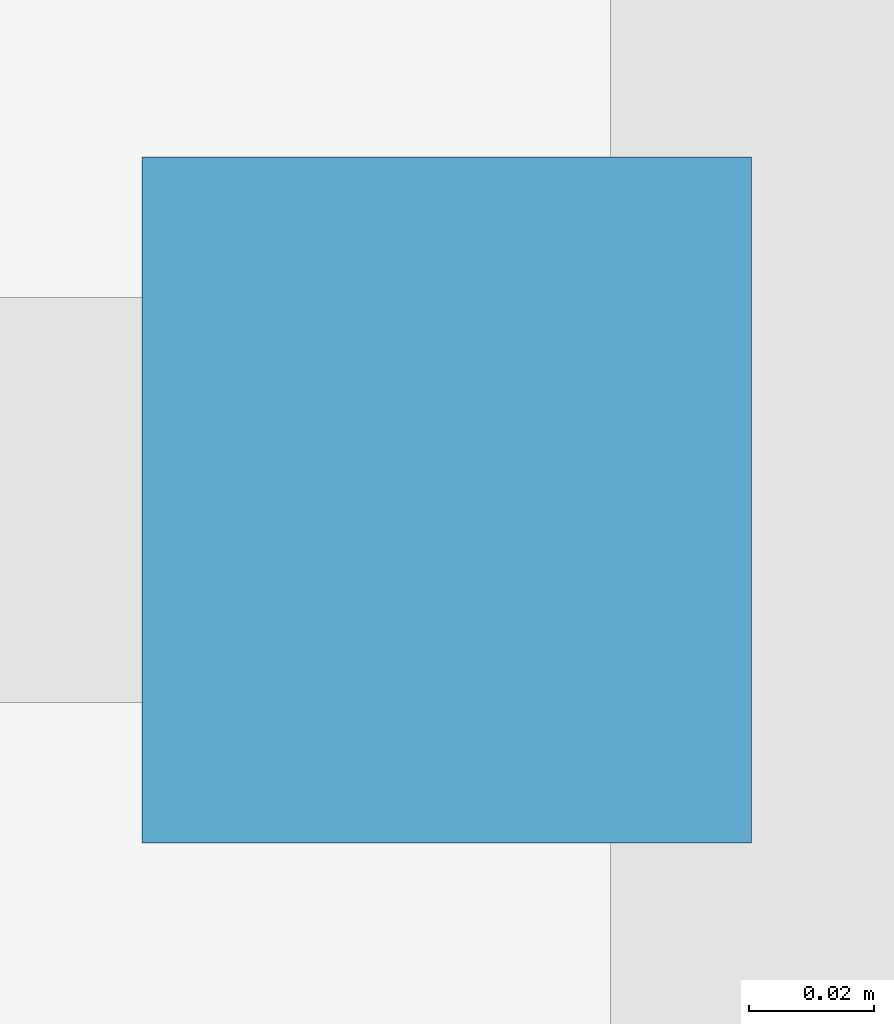
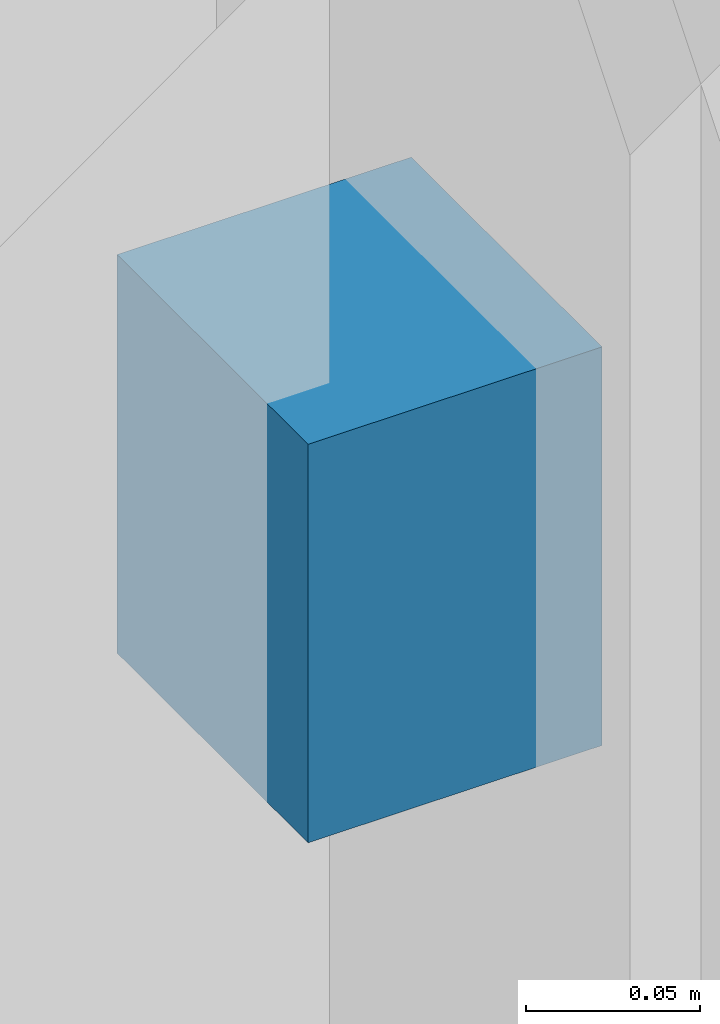
# One storey, part 17 of 26: 1 discrete accessory.
"""IFC4 building model written with IfcOpenShell, lengths in metres."""

from ifc_helpers import new_model, si_unit, direction, frame, origin, place, context, subcontext, project, spatial, polyline, outline, extrude, material, type_object, element, save


model = new_model("IFC4")

# Units and contexts
model_context = context("Model", 3, precision=1e-05, world=origin(), true_north=direction((0.0, 1.0)))
body_context = subcontext(model_context, "Body", "Model", "MODEL_VIEW")
ifc_project = project(units=[si_unit("LENGTHUNIT", "METRE"), si_unit("AREAUNIT", "SQUARE_METRE"), si_unit("VOLUMEUNIT", "CUBIC_METRE"), si_unit("PLANEANGLEUNIT", "RADIAN"), si_unit("MASSUNIT", "GRAM", prefix="KILO")], contexts=[model_context])

# Site, building, storey
site_placement = place(None, origin())
site = spatial("IfcSite", under=ifc_project, at=site_placement, CompositionType="ELEMENT")
building_placement = place(site_placement, origin())
building = spatial("IfcBuilding", under=site, at=building_placement, Name="Qalmaran Belvedere Hotel", CompositionType="ELEMENT")
storey_placement = place(building_placement, frame((0.0, 0.0, 19.199951171875)))
storey = spatial("IfcBuildingStorey", under=building, at=storey_placement, Name="L04", CompositionType="ELEMENT", Elevation=19.199951171875)

# Discrete accessory
ifc_material = material(Name="Stainless Steel 1.4401", Category="steel")
discrete_accessory_type = type_object("IfcDiscreteAccessoryType", Name="BRK-FIN-SS316", PredefinedType="BRACKET", material=ifc_material)
discrete_accessory_placement = place(storey_placement, frame((0.0, 0.0, 2.10009765625)))
element("IfcDiscreteAccessory", 1, at=discrete_accessory_placement, inside=storey, type_object=discrete_accessory_type, Name="L04 Fin Bracket 1", PredefinedType="BRACKET", context=body_context, shape_type="SweptSolid", body=[
    extrude(outline(polyline([(6.205078125, 39.742919921875), (6.107421875, 39.742919921875), (6.107421875, 39.633056640625), (6.205078125, 39.633056640625), (6.205078125, 39.742919921875)])), origin(), (0.0, 0.0, 1.0), 0.139892578125),
])

save(model, "model.ifc")
